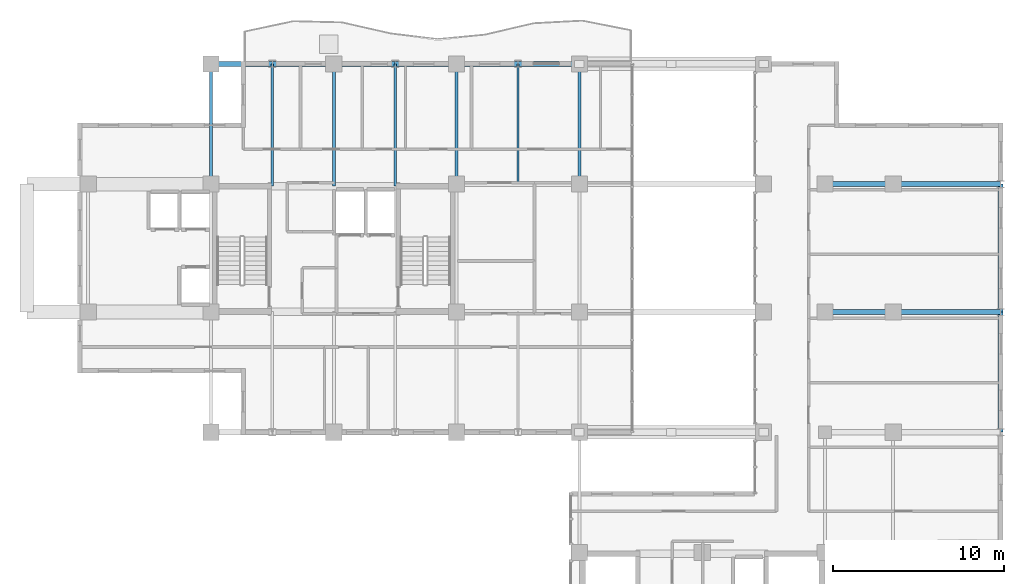
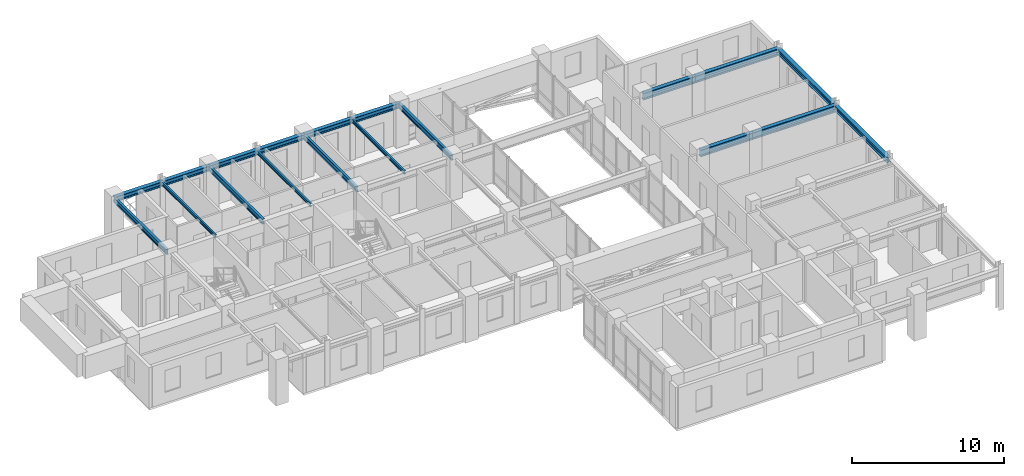
# One storey, part 13 of 23: 19 beams.
"""IFC4 building model written with IfcOpenShell, lengths in metres."""

from ifc_helpers import new_model, si_unit, direction, frame, origin, origin_2d, place, context, subcontext, project, spatial, i_section, extrude, source, transform, mapped, material, material_profile, profile_set, type_object, element, save


model = new_model("IFC4")

# Units and contexts
model_context = context("Model", 3, precision=1e-05, world=origin(), true_north=direction((0.0, 1.0)))
body_context = subcontext(model_context, "Body", "Model", "MODEL_VIEW")
ifc_project = project(units=[si_unit("LENGTHUNIT", "METRE"), si_unit("AREAUNIT", "SQUARE_METRE"), si_unit("VOLUMEUNIT", "CUBIC_METRE"), si_unit("PLANEANGLEUNIT", "RADIAN"), si_unit("MASSUNIT", "GRAM", prefix="KILO")], contexts=[model_context])

# Site, building, storey
site_placement = place(None, origin())
site = spatial("IfcSite", under=ifc_project, at=site_placement, CompositionType="ELEMENT")
building_placement = place(site_placement, origin())
building = spatial("IfcBuilding", under=site, at=building_placement, Name="Kaliganga Portal Commons", CompositionType="ELEMENT")
storey_placement = place(building_placement, frame((0.0, 0.0, 246.199951171875)))
storey = spatial("IfcBuildingStorey", under=building, at=storey_placement, Name="L63", CompositionType="ELEMENT", Elevation=246.199951171875)

# Beams
ifc_material = material(Name="Structural steel S355J2", Category="steel")
ifc_material_profile_1 = material_profile(ifc_material, i_section(OverallWidth=0.300048828125, OverallDepth=0.39990234375, WebThickness=0.013427734375, FlangeThickness=0.02392578125, FilletRadius=0.027099609375, at=origin_2d()), Name="HE 400 B")
ifc_profile_set_1 = profile_set([ifc_material_profile_1], Name="Structural steel S355J2 wide-flange")
beam_type_1 = type_object("IfcBeamType", Name="BM-SPAND-400", PredefinedType="SPANDREL", material=ifc_profile_set_1)
shared_shape_1 = source(origin(), body_context, "Body", "SweptSolid", [
    extrude(i_section(OverallWidth=0.300048828125, OverallDepth=0.39990234375, WebThickness=0.013427734375, FlangeThickness=0.02392578125, FilletRadius=0.027099609375, at=origin_2d()), origin(), (0.0, 0.0, 1.0), 3.60009765625),
])
for number, where, z_axis, x_axis, name in (
    (1, (14.39990234375, 43.199951171875, 3.080078125), (1.0, 0.0, 0.0), (0.0, 1.0, 0.0), "BM SP L63 AN 1"),
    (2, (18.0, 43.199951171875, 3.080078125), (1.0, 0.0, 0.0), (0.0, 1.0, 0.0), "BM SP L63 AN 2"),
    (3, (25.199951171875, 43.199951171875, 3.080078125), (1.0, 0.0, 0.0), (0.0, 1.0, 0.0), "BM SP L63 AN 4"),
    (4, (32.39990234375, 43.199951171875, 3.080078125), (1.0, 0.0, 0.0), (0.0, 1.0, 0.0), "BM SP L63 AN 6"),
):
    element("IfcBeam", number, at=place(storey_placement, frame(where, z_axis=z_axis, x_axis=x_axis)), inside=storey, type_object=beam_type_1, Name=name, PredefinedType="SPANDREL", context=body_context, shape_type="MappedRepresentation", body=[
        mapped(shared_shape_1, transform((0.0, 0.0, 0.0), x_axis=(1.0, 0.0, 0.0), y_axis=(0.0, 1.0, 0.0), z_axis=(0.0, 0.0, 1.0), scale=1.0)),
    ])
shared_shape_2 = source(origin(), body_context, "Body", "SweptSolid", [
    extrude(i_section(OverallWidth=0.300048828125, OverallDepth=0.39990234375, WebThickness=0.013427734375, FlangeThickness=0.02392578125, FilletRadius=0.027099609375, at=origin_2d()), origin(), (0.0, 0.0, 1.0), 3.599853515625),
])
for number, where, z_axis, x_axis, name in (
    (5, (21.60009765625, 43.199951171875, 3.080078125), (1.0, 0.0, 0.0), (0.0, 1.0, 0.0), "BM SP L63 AN 3"),
    (6, (28.800048828125, 43.199951171875, 3.080078125), (1.0, 0.0, 0.0), (0.0, 1.0, 0.0), "BM SP L63 AN 5"),
):
    element("IfcBeam", number, at=place(storey_placement, frame(where, z_axis=z_axis, x_axis=x_axis)), inside=storey, type_object=beam_type_1, Name=name, PredefinedType="SPANDREL", context=body_context, shape_type="MappedRepresentation", body=[
        mapped(shared_shape_2, transform((0.0, 0.0, 0.0), x_axis=(1.0, 0.0, 0.0), y_axis=(0.0, 1.0, 0.0), z_axis=(0.0, 0.0, 1.0), scale=1.0)),
    ])
ifc_material_profile_2 = material_profile(ifc_material, i_section(OverallWidth=0.300048828125, OverallDepth=0.550048828125, WebThickness=0.014892578125, FlangeThickness=0.029052734375, FilletRadius=0.027099609375, at=origin_2d()), Name="HE 550 B")
ifc_profile_set_2 = profile_set([ifc_material_profile_2], Name="Structural steel S355J2 wide-flange")
beam_type_2 = type_object("IfcBeamType", Name="BM-GIRD-550", PredefinedType="USERDEFINED", material=ifc_profile_set_2)
shared_shape_3 = source(origin(), body_context, "Body", "SweptSolid", [
    extrude(i_section(OverallWidth=0.300048828125, OverallDepth=0.550048828125, WebThickness=0.014892578125, FlangeThickness=0.029052734375, FilletRadius=0.027099609375, at=origin_2d()), origin(), (0.0, 0.0, 1.0), 4.0),
])
for number, where, z_axis, x_axis, name in (
    (7, (50.39990234375, 28.64990234375, 3.005126953125), (1.0, 0.0, 0.0), (0.0, 1.0, 0.0), "BM G L63 BKE286 1"),
    (8, (50.39990234375, 36.14990234375, 3.005126953125), (1.0, 0.0, 0.0), (0.0, 1.0, 0.0), "BM G L63 BKE362 1"),
):
    element("IfcBeam", number, at=place(storey_placement, frame(where, z_axis=z_axis, x_axis=x_axis)), inside=storey, type_object=beam_type_2, Name=name, ObjectType="GIRDER", PredefinedType="USERDEFINED", context=body_context, shape_type="MappedRepresentation", body=[
        mapped(shared_shape_3, transform((0.0, 0.0, 0.0), x_axis=(1.0, 0.0, 0.0), y_axis=(0.0, 1.0, 0.0), z_axis=(0.0, 0.0, 1.0), scale=1.0)),
    ])
shared_shape_4 = source(origin(), body_context, "Body", "SweptSolid", [
    extrude(i_section(OverallWidth=0.300048828125, OverallDepth=0.550048828125, WebThickness=0.014892578125, FlangeThickness=0.029052734375, FilletRadius=0.027099609375, at=origin_2d()), origin(), (0.0, 0.0, 1.0), 6.300048828125),
])
for number, where, z_axis, x_axis, name in (
    (9, (54.39990234375, 28.64990234375, 3.005126953125), (1.0, 0.0, 0.0), (0.0, 1.0, 0.0), "BM G L63 BKE286 2"),
    (10, (54.39990234375, 36.14990234375, 3.005126953125), (1.0, 0.0, 0.0), (0.0, 1.0, 0.0), "BM G L63 BKE362 2"),
):
    element("IfcBeam", number, at=place(storey_placement, frame(where, z_axis=z_axis, x_axis=x_axis)), inside=storey, type_object=beam_type_2, Name=name, ObjectType="GIRDER", PredefinedType="USERDEFINED", context=body_context, shape_type="MappedRepresentation", body=[
        mapped(shared_shape_4, transform((0.0, 0.0, 0.0), x_axis=(1.0, 0.0, 0.0), y_axis=(0.0, 1.0, 0.0), z_axis=(0.0, 0.0, 1.0), scale=1.0)),
    ])
shared_shape_5 = source(origin(), body_context, "Body", "SweptSolid", [
    extrude(i_section(OverallWidth=0.300048828125, OverallDepth=0.39990234375, WebThickness=0.013427734375, FlangeThickness=0.02392578125, FilletRadius=0.027099609375, at=origin_2d()), origin(), (0.0, 0.0, 1.0), 7.5),
])
beam_1_placement = place(storey_placement, frame((60.699951171875, 28.64990234375, 3.080078125), z_axis=(0.0, 1.0, 0.0), x_axis=(-1.0, 0.0, 0.0)))
element("IfcBeam", 11, at=beam_1_placement, inside=storey, type_object=beam_type_1, Name="BM SP L63 BE 4", PredefinedType="SPANDREL", context=body_context, shape_type="MappedRepresentation", body=[
    mapped(shared_shape_5, transform((0.0, 0.0, 0.0), x_axis=(1.0, 0.0, 0.0), y_axis=(0.0, 1.0, 0.0), z_axis=(0.0, 0.0, 1.0), scale=1.0)),
])
shared_shape_6 = source(origin(), body_context, "Body", "SweptSolid", [
    extrude(i_section(OverallWidth=0.300048828125, OverallDepth=0.39990234375, WebThickness=0.013427734375, FlangeThickness=0.02392578125, FilletRadius=0.027099609375, at=origin_2d()), origin(), (0.0, 0.0, 1.0), 7.0498046875),
])
beam_2_placement = place(storey_placement, frame((60.699951171875, 21.60009765625, 3.080078125), z_axis=(0.0, 1.0, 0.0), x_axis=(-1.0, 0.0, 0.0)))
element("IfcBeam", 12, at=beam_2_placement, inside=storey, type_object=beam_type_1, Name="BM SP L63 BE 3", PredefinedType="SPANDREL", context=body_context, shape_type="MappedRepresentation", body=[
    mapped(shared_shape_6, transform((0.0, 0.0, 0.0), x_axis=(1.0, 0.0, 0.0), y_axis=(0.0, 1.0, 0.0), z_axis=(0.0, 0.0, 1.0), scale=1.0)),
])
ifc_material_profile_3 = material_profile(ifc_material, i_section(OverallWidth=0.135009765625, OverallDepth=0.27001953125, WebThickness=0.006591796875, FlangeThickness=0.01025390625, FilletRadius=0.014892578125, at=origin_2d()), Name="IPE 270")
ifc_profile_set_3 = profile_set([ifc_material_profile_3], Name="Structural steel S355J2 wide-flange")
beam_type_3 = type_object("IfcBeamType", Name="BM-JST-270", PredefinedType="JOIST", material=ifc_profile_set_3)
shared_shape_7 = source(origin(), body_context, "Body", "SweptSolid", [
    extrude(i_section(OverallWidth=0.135009765625, OverallDepth=0.27001953125, WebThickness=0.006591796875, FlangeThickness=0.01025390625, FilletRadius=0.014892578125, at=origin_2d()), origin(), (0.0, 0.0, 1.0), 7.175048828125),
])
for number, where, z_axis, x_axis, name in (
    (13, (18.0, 36.02490234375, 3.14501953125), (0.0, 1.0, 0.0), (-1.0, 0.0, 0.0), "BM G L63 AN180"),
    (14, (25.199951171875, 36.02490234375, 3.14501953125), (0.0, 1.0, 0.0), (-1.0, 0.0, 0.0), "BM G L63 AN252"),
):
    element("IfcBeam", number, at=place(storey_placement, frame(where, z_axis=z_axis, x_axis=x_axis)), inside=storey, type_object=beam_type_3, Name=name, PredefinedType="JOIST", context=body_context, shape_type="MappedRepresentation", body=[
        mapped(shared_shape_7, transform((0.0, 0.0, 0.0), x_axis=(1.0, 0.0, 0.0), y_axis=(0.0, 1.0, 0.0), z_axis=(0.0, 0.0, 1.0), scale=1.0)),
    ])
shared_shape_8 = source(origin(), body_context, "Body", "SweptSolid", [
    extrude(i_section(OverallWidth=0.135009765625, OverallDepth=0.27001953125, WebThickness=0.006591796875, FlangeThickness=0.01025390625, FilletRadius=0.014892578125, at=origin_2d()), origin(), (0.0, 0.0, 1.0), 7.050048828125),
])
beam_3_placement = place(storey_placement, frame((32.39990234375, 36.14990234375, 3.14501953125), z_axis=(0.0, 1.0, 0.0), x_axis=(-1.0, 0.0, 0.0)))
element("IfcBeam", 15, at=beam_3_placement, inside=storey, type_object=beam_type_3, Name="BM G L63 AN324", PredefinedType="JOIST", context=body_context, shape_type="MappedRepresentation", body=[
    mapped(shared_shape_8, transform((0.0, 0.0, 0.0), x_axis=(1.0, 0.0, 0.0), y_axis=(0.0, 1.0, 0.0), z_axis=(0.0, 0.0, 1.0), scale=1.0)),
])
ifc_material_profile_4 = material_profile(ifc_material, i_section(OverallWidth=0.179931640625, OverallDepth=0.39990234375, WebThickness=0.008544921875, FlangeThickness=0.013427734375, FilletRadius=0.02099609375, at=origin_2d()), Name="IPE 400")
ifc_profile_set_4 = profile_set([ifc_material_profile_4], Name="Structural steel S355J2 wide-flange")
beam_type_4 = type_object("IfcBeamType", Name="BM-FLR-400", PredefinedType="BEAM", material=ifc_profile_set_4)
shared_shape_9 = source(origin(), body_context, "Body", "SweptSolid", [
    extrude(i_section(OverallWidth=0.179931640625, OverallDepth=0.39990234375, WebThickness=0.008544921875, FlangeThickness=0.013427734375, FilletRadius=0.02099609375, at=origin_2d()), origin(), (0.0, 0.0, 1.0), 7.050048828125),
])
for number, where, z_axis, x_axis, name in (
    (16, (14.39990234375, 36.14990234375, 3.080078125), (0.0, 1.0, 0.0), (-1.0, 0.0, 0.0), "BM G L63 AN144"),
    (17, (28.800048828125, 36.14990234375, 3.080078125), (0.0, 1.0, 0.0), (-1.0, 0.0, 0.0), "BM G L63 AN288"),
    (18, (36.0, 36.14990234375, 3.080078125), (0.0, 1.0, 0.0), (-1.0, 0.0, 0.0), "BM G L63 AN360"),
):
    element("IfcBeam", number, at=place(storey_placement, frame(where, z_axis=z_axis, x_axis=x_axis)), inside=storey, type_object=beam_type_4, Name=name, PredefinedType="BEAM", context=body_context, shape_type="MappedRepresentation", body=[
        mapped(shared_shape_9, transform((0.0, 0.0, 0.0), x_axis=(1.0, 0.0, 0.0), y_axis=(0.0, 1.0, 0.0), z_axis=(0.0, 0.0, 1.0), scale=1.0)),
    ])
shared_shape_10 = source(origin(), body_context, "Body", "SweptSolid", [
    extrude(i_section(OverallWidth=0.179931640625, OverallDepth=0.39990234375, WebThickness=0.008544921875, FlangeThickness=0.013427734375, FilletRadius=0.02099609375, at=origin_2d()), origin(), (0.0, 0.0, 1.0), 7.175048828125),
])
beam_4_placement = place(storey_placement, frame((21.60009765625, 36.02490234375, 3.080078125), z_axis=(0.0, 1.0, 0.0), x_axis=(-1.0, 0.0, 0.0)))
element("IfcBeam", 19, at=beam_4_placement, inside=storey, type_object=beam_type_4, Name="BM G L63 AN216", PredefinedType="BEAM", context=body_context, shape_type="MappedRepresentation", body=[
    mapped(shared_shape_10, transform((0.0, 0.0, 0.0), x_axis=(1.0, 0.0, 0.0), y_axis=(0.0, 1.0, 0.0), z_axis=(0.0, 0.0, 1.0), scale=1.0)),
])

save(model, "model.ifc")
